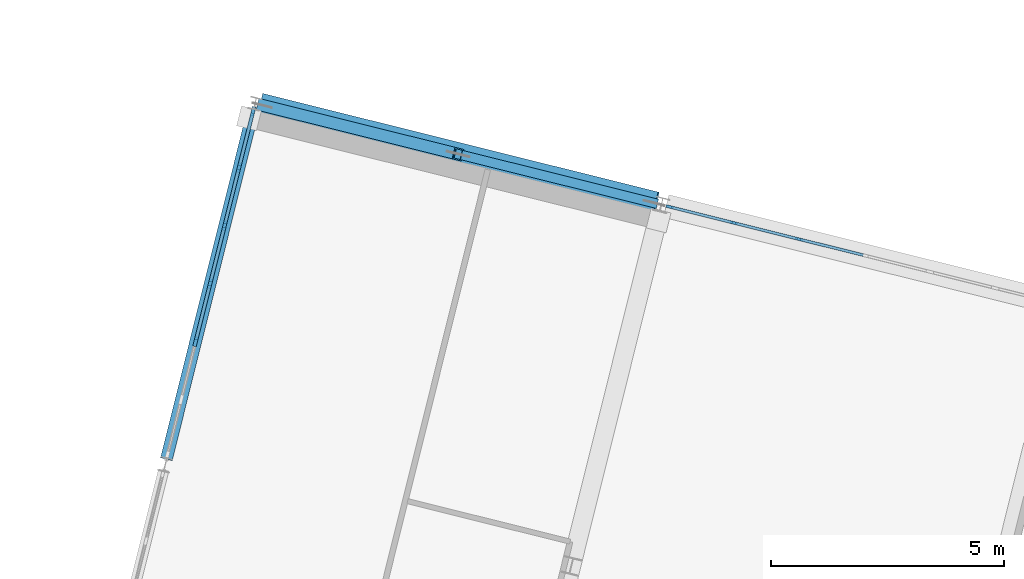
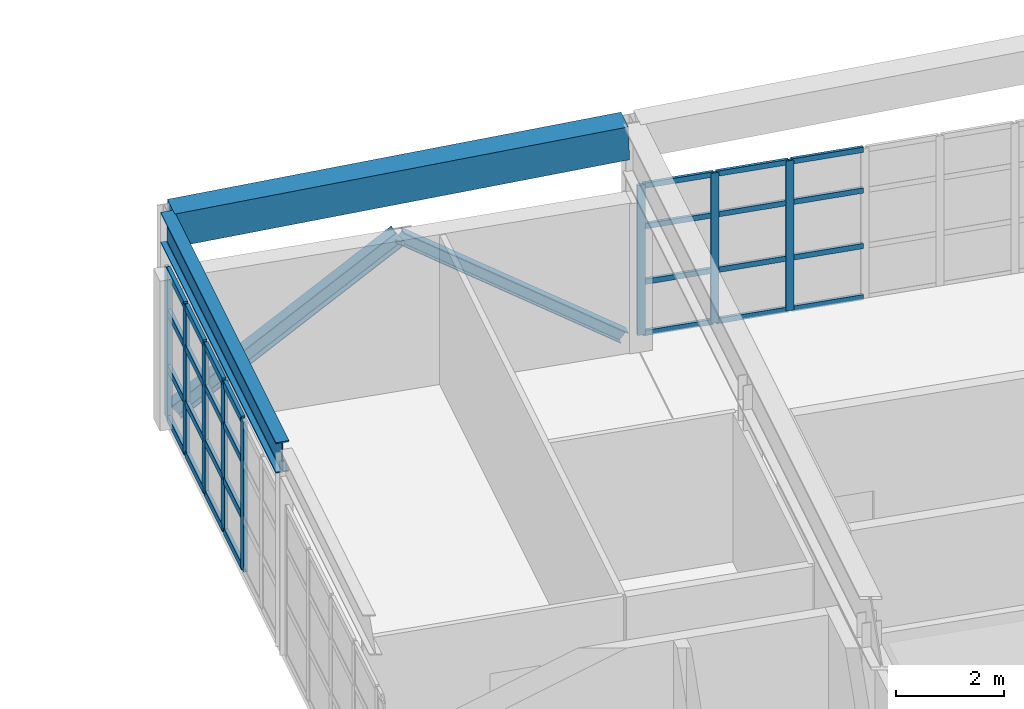
# One storey, part 11 of 27: 38 members, 2 beams, 2 elements without a shape of their own.
"""IFC4 building model written with IfcOpenShell, lengths in metres."""

from ifc_helpers import new_model, si_unit, direction, frame, origin, origin_2d, place, context, subcontext, project, spatial, rectangle, i_section, extrude, material, layer, layer_set, material_profile, profile_set, type_object, element, aggregate, save


model = new_model("IFC4")

# Units and contexts
model_context = context("Model", 3, precision=1e-05, world=origin(), true_north=direction((0.0, 1.0)))
body_context = subcontext(model_context, "Body", "Model", "MODEL_VIEW")
ifc_project = project(units=[si_unit("LENGTHUNIT", "METRE"), si_unit("AREAUNIT", "SQUARE_METRE"), si_unit("VOLUMEUNIT", "CUBIC_METRE"), si_unit("PLANEANGLEUNIT", "RADIAN"), si_unit("MASSUNIT", "GRAM", prefix="KILO")], contexts=[model_context])

# Site, building, storey
site_placement = place(None, origin())
site = spatial("IfcSite", under=ifc_project, at=site_placement, CompositionType="ELEMENT")
building_placement = place(site_placement, origin())
building = spatial("IfcBuilding", under=site, at=building_placement, Name="Vireo Bluff Cable Station", CompositionType="ELEMENT")
storey_placement = place(building_placement, frame((0.0, 0.0, 19.199951171875)))
storey = spatial("IfcBuildingStorey", under=building, at=storey_placement, Name="L04", CompositionType="ELEMENT", Elevation=19.199951171875)

# Members
ifc_material_1 = material(Name="Steel ASTM A992 Gr. 50", Category="steel")
ifc_material_profile_1 = material_profile(ifc_material_1, i_section(OverallWidth=0.2041015625, OverallDepth=0.257080078125, WebThickness=0.0087890625, FlangeThickness=0.015625, FilletRadius=0.009033203125, at=origin_2d()), Name="W10X45")
ifc_profile_set_1 = profile_set([ifc_material_profile_1], Name="Steel ASTM A992 Gr. 50")
member_type_1 = type_object("IfcMemberType", Name="BRC-01", PredefinedType="BRACE", material=ifc_profile_set_1)
member_1_placement = place(storey_placement, frame((68.383544921875, 59.1484375, 0.0400390625), z_axis=(-0.788696242127, 0.196659663597, 0.58248022659), x_axis=(-0.241939969626, -0.970291219736, 0.0)))
element("IfcMember", 1, at=member_1_placement, inside=storey, type_object=member_type_1, Name="V1 L04 concentric brace 24R", PredefinedType="BRACE", context=body_context, shape_type="SweptSolid", body=[
    extrude(i_section(OverallWidth=0.2041015625, OverallDepth=0.257080078125, WebThickness=0.0087890625, FlangeThickness=0.015625, FilletRadius=0.009033203125, at=origin_2d()), origin(), (0.0, 0.0, 1.0), 5.33935546875),
])
ifc_material_profile_2 = material_profile(ifc_material_1, i_section(OverallWidth=0.25390625, OverallDepth=0.35302734375, WebThickness=0.009521484375, FlangeThickness=0.016357421875, FilletRadius=0.011962890625, at=origin_2d()), Name="W14X61")
ifc_profile_set_2 = profile_set([ifc_material_profile_2], Name="Steel ASTM A992 Gr. 50")
member_type_2 = type_object("IfcMemberType", Name="BRC-06", PredefinedType="BRACE", material=ifc_profile_set_2)
member_2_placement = place(storey_placement, frame((59.96142578125, 61.248291015625, 0.0400390625), z_axis=(0.788686051028, -0.196622797972, 0.58250647055), x_axis=(0.241900212683, 0.970301132177, 0.0)))
element("IfcMember", 2, at=member_2_placement, inside=storey, type_object=member_type_2, Name="V1 L04 concentric brace 23L", PredefinedType="BRACE", context=body_context, shape_type="SweptSolid", body=[
    extrude(i_section(OverallWidth=0.25390625, OverallDepth=0.35302734375, WebThickness=0.009521484375, FlangeThickness=0.016357421875, FilletRadius=0.011962890625, at=origin_2d()), origin(), (0.0, 0.0, 1.0), 5.339111328125),
])

# Curtain wall, members
ifc_material_2 = material(Name="Anodized Aluminium 6063-T6", Category="aluminium")
ifc_layer_1 = layer(ifc_material_2, 0.179931640625, Name="Anodized Aluminium 6063-T6")
ifc_layer_set_1 = layer_set([ifc_layer_1], Name="Anodized Aluminium 6063-T6")
curtain_wall_type_1 = type_object("IfcCurtainWallType", Name="CW-UNIT-1400", PredefinedType="USERDEFINED", material=ifc_layer_set_1)
curtain_wall_1_placement = place(storey_placement, origin())
curtain_wall_1 = element("IfcCurtainWall", 3, at=curtain_wall_1_placement, inside=storey, type_object=curtain_wall_type_1, Name="V1 L04 west curtain wall CW-033", ObjectType="UNITISED CURTAIN WALL", PredefinedType="USERDEFINED")
ifc_material_profile_3 = material_profile(ifc_material_2, rectangle(XDim=0.074951171875, YDim=0.2099609375, at=origin_2d()), Name="ALU-M-75X210")
ifc_profile_set_3 = profile_set([ifc_material_profile_3], Name="Anodized Aluminium 6063-T6")
member_type_3 = type_object("IfcMemberType", Name="CWM-02", PredefinedType="MULLION", material=ifc_profile_set_3)
member_3_placement = place(storey_placement, frame((58.530029296875, 56.169189453125, 0.0), z_axis=(0.0, 0.0, 1.0), x_axis=(-0.970295723236, 0.241921907793, 0.0)))
member_3 = element("IfcMember", 4, at=member_3_placement, type_object=member_type_3, Name="CW-033 mullion 3", PredefinedType="MULLION", context=body_context, shape_type="SweptSolid", body=[
    extrude(rectangle(XDim=0.074951171875, YDim=0.2099609375, at=origin_2d()), origin(), (0.0, 0.0, 1.0), 3.400146484375),
])
member_4_placement = place(storey_placement, frame((58.841064453125, 57.416015625, 0.0), z_axis=(0.0, 0.0, 1.0), x_axis=(-0.970295723236, 0.241921907793, 0.0)))
member_4 = element("IfcMember", 5, at=member_4_placement, type_object=member_type_3, Name="CW-033 mullion 4", PredefinedType="MULLION", context=body_context, shape_type="SweptSolid", body=[
    extrude(rectangle(XDim=0.074951171875, YDim=0.2099609375, at=origin_2d()), origin(), (0.0, 0.0, 1.0), 3.400146484375),
])
member_5_placement = place(storey_placement, frame((59.15185546875, 58.6630859375, 0.0), z_axis=(0.0, 0.0, 1.0), x_axis=(-0.970295723236, 0.241921907793, 0.0)))
member_5 = element("IfcMember", 6, at=member_5_placement, type_object=member_type_3, Name="CW-033 mullion 5", PredefinedType="MULLION", context=body_context, shape_type="SweptSolid", body=[
    extrude(rectangle(XDim=0.074951171875, YDim=0.2099609375, at=origin_2d()), origin(), (0.0, 0.0, 1.0), 3.400146484375),
])
member_6_placement = place(storey_placement, frame((59.462890625, 59.91015625, 0.0), z_axis=(0.0, 0.0, 1.0), x_axis=(-0.970295723236, 0.241921907793, 0.0)))
member_6 = element("IfcMember", 7, at=member_6_placement, type_object=member_type_3, Name="CW-033 mullion 6", PredefinedType="MULLION", context=body_context, shape_type="SweptSolid", body=[
    extrude(rectangle(XDim=0.074951171875, YDim=0.2099609375, at=origin_2d()), origin(), (0.0, 0.0, 1.0), 3.400146484375),
])
member_7_placement = place(storey_placement, frame((59.7646484375, 61.12060546875, 0.0), z_axis=(0.0, 0.0, 1.0), x_axis=(-0.970295723236, 0.241921907793, 0.0)))
member_7 = element("IfcMember", 8, at=member_7_placement, type_object=member_type_3, Name="CW-033 mullion 7", PredefinedType="MULLION", context=body_context, shape_type="SweptSolid", body=[
    extrude(rectangle(XDim=0.074951171875, YDim=0.2099609375, at=origin_2d()), origin(), (0.0, 0.0, 1.0), 3.400146484375),
])

ifc_layer_2 = layer(ifc_material_2, 0.179931640625, Name="Anodized Aluminium 6063-T6")
ifc_layer_set_2 = layer_set([ifc_layer_2], Name="Anodized Aluminium 6063-T6")
curtain_wall_type_2 = type_object("IfcCurtainWallType", Name="CW-UNIT-1500", PredefinedType="USERDEFINED", material=ifc_layer_set_2)
curtain_wall_2_placement = place(storey_placement, origin())
curtain_wall_2 = element("IfcCurtainWall", 9, at=curtain_wall_2_placement, inside=storey, type_object=curtain_wall_type_2, Name="V1 L04 north curtain wall CW-034", ObjectType="UNITISED CURTAIN WALL", PredefinedType="USERDEFINED")
ifc_material_profile_4 = material_profile(ifc_material_2, rectangle(XDim=0.06005859375, YDim=0.159912109375, at=origin_2d()), Name="ALU-M-60X160")
ifc_profile_set_4 = profile_set([ifc_material_profile_4], Name="Anodized Aluminium 6063-T6")
member_type_4 = type_object("IfcMemberType", Name="CWM-03", PredefinedType="MULLION", material=ifc_profile_set_4)
member_8_placement = place(storey_placement, frame((68.7177734375, 59.065185546875, 0.0), z_axis=(0.0, 0.0, 1.0), x_axis=(0.241921878749, 0.970295730477, 0.0)))
member_8 = element("IfcMember", 10, at=member_8_placement, type_object=member_type_4, Name="CW-034 mullion 1", PredefinedType="MULLION", context=body_context, shape_type="SweptSolid", body=[
    extrude(rectangle(XDim=0.06005859375, YDim=0.159912109375, at=origin_2d()), origin(), (0.0, 0.0, 1.0), 3.400146484375),
])
member_9_placement = place(storey_placement, frame((70.09423828125, 58.721923828125, 0.0), z_axis=(0.0, 0.0, 1.0), x_axis=(0.241921878749, 0.970295730477, 0.0)))
member_9 = element("IfcMember", 11, at=member_9_placement, type_object=member_type_4, Name="CW-034 mullion 2", PredefinedType="MULLION", context=body_context, shape_type="SweptSolid", body=[
    extrude(rectangle(XDim=0.06005859375, YDim=0.159912109375, at=origin_2d()), origin(), (0.0, 0.0, 1.0), 3.400146484375),
])
member_10_placement = place(storey_placement, frame((71.499755859375, 58.37158203125, 0.0), z_axis=(0.0, 0.0, 1.0), x_axis=(0.241921878749, 0.970295730477, 0.0)))
member_10 = element("IfcMember", 12, at=member_10_placement, type_object=member_type_4, Name="CW-034 mullion 3", PredefinedType="MULLION", context=body_context, shape_type="SweptSolid", body=[
    extrude(rectangle(XDim=0.06005859375, YDim=0.159912109375, at=origin_2d()), origin(), (0.0, 0.0, 1.0), 3.400146484375),
])

# Member
ifc_material_profile_5 = material_profile(ifc_material_2, rectangle(XDim=0.074951171875, YDim=0.159912109375, at=origin_2d()), Name="ALU-T-75X160")
ifc_profile_set_5 = profile_set([ifc_material_profile_5], Name="Anodized Aluminium 6063-T6")
member_type_5 = type_object("IfcMemberType", Name="CWT-02", PredefinedType="USERDEFINED", material=ifc_profile_set_5)
member_11_placement = place(storey_placement, frame((58.5390625, 56.20556640625, 0.03759765625), z_axis=(0.241918406889, 0.970296596103, 0.0), x_axis=(-0.970296596103, 0.241918406889, 0.0)))
member_11 = element("IfcMember", 13, at=member_11_placement, type_object=member_type_5, Name="CW-033 transom 3.1", ObjectType="TRANSOM", PredefinedType="USERDEFINED", context=body_context, shape_type="SweptSolid", body=[
    extrude(rectangle(XDim=0.074951171875, YDim=0.159912109375, at=origin_2d()), origin(), (0.0, 0.0, 1.0), 1.2099609375),
])

member_12_placement = place(storey_placement, frame((58.5390625, 56.20556640625, 1.18994140625), z_axis=(0.241918406889, 0.970296596103, 0.0), x_axis=(-0.970296596103, 0.241918406889, 0.0)))
member_12 = element("IfcMember", 14, at=member_12_placement, type_object=member_type_5, Name="CW-033 transom 3.2", ObjectType="TRANSOM", PredefinedType="USERDEFINED", context=body_context, shape_type="SweptSolid", body=[
    extrude(rectangle(XDim=0.074951171875, YDim=0.159912109375, at=origin_2d()), origin(), (0.0, 0.0, 1.0), 1.2099609375),
])

member_13_placement = place(storey_placement, frame((58.5390625, 56.20556640625, 2.447998046875), z_axis=(0.241918406889, 0.970296596103, 0.0), x_axis=(-0.970296596103, 0.241918406889, 0.0)))
member_13 = element("IfcMember", 15, at=member_13_placement, type_object=member_type_5, Name="CW-033 transom 3.3", ObjectType="TRANSOM", PredefinedType="USERDEFINED", context=body_context, shape_type="SweptSolid", body=[
    extrude(rectangle(XDim=0.074951171875, YDim=0.159912109375, at=origin_2d()), origin(), (0.0, 0.0, 1.0), 1.2099609375),
])

member_14_placement = place(storey_placement, frame((58.5390625, 56.20556640625, 3.362548828125), z_axis=(0.241918406889, 0.970296596103, 0.0), x_axis=(-0.970296596103, 0.241918406889, 0.0)))
member_14 = element("IfcMember", 16, at=member_14_placement, type_object=member_type_5, Name="CW-033 transom 3.4", ObjectType="TRANSOM", PredefinedType="USERDEFINED", context=body_context, shape_type="SweptSolid", body=[
    extrude(rectangle(XDim=0.074951171875, YDim=0.159912109375, at=origin_2d()), origin(), (0.0, 0.0, 1.0), 1.2099609375),
])

member_15_placement = place(storey_placement, frame((58.85009765625, 57.452392578125, 0.03759765625), z_axis=(0.241871054621, 0.970308400941, 0.0), x_axis=(-0.970308400941, 0.241871054621, 0.0)))
member_15 = element("IfcMember", 17, at=member_15_placement, type_object=member_type_5, Name="CW-033 transom 4.1", ObjectType="TRANSOM", PredefinedType="USERDEFINED", context=body_context, shape_type="SweptSolid", body=[
    extrude(rectangle(XDim=0.074951171875, YDim=0.159912109375, at=origin_2d()), origin(), (0.0, 0.0, 1.0), 1.210205078125),
])

member_16_placement = place(storey_placement, frame((58.85009765625, 57.452392578125, 1.18994140625), z_axis=(0.241871054621, 0.970308400941, 0.0), x_axis=(-0.970308400941, 0.241871054621, 0.0)))
member_16 = element("IfcMember", 18, at=member_16_placement, type_object=member_type_5, Name="CW-033 transom 4.2", ObjectType="TRANSOM", PredefinedType="USERDEFINED", context=body_context, shape_type="SweptSolid", body=[
    extrude(rectangle(XDim=0.074951171875, YDim=0.159912109375, at=origin_2d()), origin(), (0.0, 0.0, 1.0), 1.210205078125),
])

member_17_placement = place(storey_placement, frame((58.85009765625, 57.452392578125, 2.447998046875), z_axis=(0.241871054621, 0.970308400941, 0.0), x_axis=(-0.970308400941, 0.241871054621, 0.0)))
member_17 = element("IfcMember", 19, at=member_17_placement, type_object=member_type_5, Name="CW-033 transom 4.3", ObjectType="TRANSOM", PredefinedType="USERDEFINED", context=body_context, shape_type="SweptSolid", body=[
    extrude(rectangle(XDim=0.074951171875, YDim=0.159912109375, at=origin_2d()), origin(), (0.0, 0.0, 1.0), 1.210205078125),
])

member_18_placement = place(storey_placement, frame((58.85009765625, 57.452392578125, 3.362548828125), z_axis=(0.241871054621, 0.970308400941, 0.0), x_axis=(-0.970308400941, 0.241871054621, 0.0)))
member_18 = element("IfcMember", 20, at=member_18_placement, type_object=member_type_5, Name="CW-033 transom 4.4", ObjectType="TRANSOM", PredefinedType="USERDEFINED", context=body_context, shape_type="SweptSolid", body=[
    extrude(rectangle(XDim=0.074951171875, YDim=0.159912109375, at=origin_2d()), origin(), (0.0, 0.0, 1.0), 1.210205078125),
])

member_19_placement = place(storey_placement, frame((59.160888671875, 58.699462890625, 0.03759765625), z_axis=(0.241871054621, 0.970308400941, 0.0), x_axis=(-0.970308400941, 0.241871054621, 0.0)))
member_19 = element("IfcMember", 21, at=member_19_placement, type_object=member_type_5, Name="CW-033 transom 5.1", ObjectType="TRANSOM", PredefinedType="USERDEFINED", context=body_context, shape_type="SweptSolid", body=[
    extrude(rectangle(XDim=0.074951171875, YDim=0.159912109375, at=origin_2d()), origin(), (0.0, 0.0, 1.0), 1.210205078125),
])

member_20_placement = place(storey_placement, frame((59.160888671875, 58.699462890625, 1.18994140625), z_axis=(0.241871054621, 0.970308400941, 0.0), x_axis=(-0.970308400941, 0.241871054621, 0.0)))
member_20 = element("IfcMember", 22, at=member_20_placement, type_object=member_type_5, Name="CW-033 transom 5.2", ObjectType="TRANSOM", PredefinedType="USERDEFINED", context=body_context, shape_type="SweptSolid", body=[
    extrude(rectangle(XDim=0.074951171875, YDim=0.159912109375, at=origin_2d()), origin(), (0.0, 0.0, 1.0), 1.210205078125),
])

member_21_placement = place(storey_placement, frame((59.160888671875, 58.699462890625, 2.447998046875), z_axis=(0.241871054621, 0.970308400941, 0.0), x_axis=(-0.970308400941, 0.241871054621, 0.0)))
member_21 = element("IfcMember", 23, at=member_21_placement, type_object=member_type_5, Name="CW-033 transom 5.3", ObjectType="TRANSOM", PredefinedType="USERDEFINED", context=body_context, shape_type="SweptSolid", body=[
    extrude(rectangle(XDim=0.074951171875, YDim=0.159912109375, at=origin_2d()), origin(), (0.0, 0.0, 1.0), 1.210205078125),
])

member_22_placement = place(storey_placement, frame((59.160888671875, 58.699462890625, 3.362548828125), z_axis=(0.241871054621, 0.970308400941, 0.0), x_axis=(-0.970308400941, 0.241871054621, 0.0)))
member_22 = element("IfcMember", 24, at=member_22_placement, type_object=member_type_5, Name="CW-033 transom 5.4", ObjectType="TRANSOM", PredefinedType="USERDEFINED", context=body_context, shape_type="SweptSolid", body=[
    extrude(rectangle(XDim=0.074951171875, YDim=0.159912109375, at=origin_2d()), origin(), (0.0, 0.0, 1.0), 1.210205078125),
])

member_23_placement = place(storey_placement, frame((59.471923828125, 59.946533203125, 0.03759765625), z_axis=(0.241947674843, 0.970289298425, 0.0), x_axis=(-0.970289298425, 0.241947674843, 0.0)))
member_23 = element("IfcMember", 25, at=member_23_placement, type_object=member_type_5, Name="CW-033 transom 6.1", ObjectType="TRANSOM", PredefinedType="USERDEFINED", context=body_context, shape_type="SweptSolid", body=[
    extrude(rectangle(XDim=0.074951171875, YDim=0.159912109375, at=origin_2d()), origin(), (0.0, 0.0, 1.0), 1.172607421875),
])

member_24_placement = place(storey_placement, frame((59.471923828125, 59.946533203125, 1.18994140625), z_axis=(0.241947674843, 0.970289298425, 0.0), x_axis=(-0.970289298425, 0.241947674843, 0.0)))
member_24 = element("IfcMember", 26, at=member_24_placement, type_object=member_type_5, Name="CW-033 transom 6.2", ObjectType="TRANSOM", PredefinedType="USERDEFINED", context=body_context, shape_type="SweptSolid", body=[
    extrude(rectangle(XDim=0.074951171875, YDim=0.159912109375, at=origin_2d()), origin(), (0.0, 0.0, 1.0), 1.172607421875),
])

member_25_placement = place(storey_placement, frame((59.471923828125, 59.946533203125, 2.447998046875), z_axis=(0.241947674843, 0.970289298425, 0.0), x_axis=(-0.970289298425, 0.241947674843, 0.0)))
member_25 = element("IfcMember", 27, at=member_25_placement, type_object=member_type_5, Name="CW-033 transom 6.3", ObjectType="TRANSOM", PredefinedType="USERDEFINED", context=body_context, shape_type="SweptSolid", body=[
    extrude(rectangle(XDim=0.074951171875, YDim=0.159912109375, at=origin_2d()), origin(), (0.0, 0.0, 1.0), 1.172607421875),
])

member_26_placement = place(storey_placement, frame((59.471923828125, 59.946533203125, 3.362548828125), z_axis=(0.241947674843, 0.970289298425, 0.0), x_axis=(-0.970289298425, 0.241947674843, 0.0)))
member_26 = element("IfcMember", 28, at=member_26_placement, type_object=member_type_5, Name="CW-033 transom 6.4", ObjectType="TRANSOM", PredefinedType="USERDEFINED", context=body_context, shape_type="SweptSolid", body=[
    extrude(rectangle(XDim=0.074951171875, YDim=0.159912109375, at=origin_2d()), origin(), (0.0, 0.0, 1.0), 1.172607421875),
])

aggregate(curtain_wall_1, [member_3, member_4, member_5, member_6, member_7, member_11, member_12, member_13, member_14, member_15, member_16, member_17, member_18, member_19, member_20, member_21, member_22, member_23, member_24, member_25, member_26])

ifc_material_profile_6 = material_profile(ifc_material_2, rectangle(XDim=0.06005859375, YDim=0.1201171875, at=origin_2d()), Name="ALU-T-60X120")
ifc_profile_set_6 = profile_set([ifc_material_profile_6], Name="Anodized Aluminium 6063-T6")
member_type_6 = type_object("IfcMemberType", Name="CWT-03", PredefinedType="USERDEFINED", material=ifc_profile_set_6)
member_27_placement = place(storey_placement, frame((68.746826171875, 59.057861328125, 0.030029296875), z_axis=(0.970300868044, -0.241901272159, 0.0), x_axis=(0.241901272159, 0.970300868044, 0.0)))
member_27 = element("IfcMember", 29, at=member_27_placement, type_object=member_type_6, Name="CW-034 transom 1.1", ObjectType="TRANSOM", PredefinedType="USERDEFINED", context=body_context, shape_type="SweptSolid", body=[
    extrude(rectangle(XDim=0.06005859375, YDim=0.1201171875, at=origin_2d()), origin(), (0.0, 0.0, 1.0), 1.3583984375),
])

member_28_placement = place(storey_placement, frame((68.746826171875, 59.057861328125, 1.18994140625), z_axis=(0.970300868044, -0.241901272159, 0.0), x_axis=(0.241901272159, 0.970300868044, 0.0)))
member_28 = element("IfcMember", 30, at=member_28_placement, type_object=member_type_6, Name="CW-034 transom 1.2", ObjectType="TRANSOM", PredefinedType="USERDEFINED", context=body_context, shape_type="SweptSolid", body=[
    extrude(rectangle(XDim=0.06005859375, YDim=0.1201171875, at=origin_2d()), origin(), (0.0, 0.0, 1.0), 1.3583984375),
])

member_29_placement = place(storey_placement, frame((68.746826171875, 59.057861328125, 2.447998046875), z_axis=(0.970300868044, -0.241901272159, 0.0), x_axis=(0.241901272159, 0.970300868044, 0.0)))
member_29 = element("IfcMember", 31, at=member_29_placement, type_object=member_type_6, Name="CW-034 transom 1.3", ObjectType="TRANSOM", PredefinedType="USERDEFINED", context=body_context, shape_type="SweptSolid", body=[
    extrude(rectangle(XDim=0.06005859375, YDim=0.1201171875, at=origin_2d()), origin(), (0.0, 0.0, 1.0), 1.3583984375),
])

member_30_placement = place(storey_placement, frame((68.746826171875, 59.057861328125, 3.3701171875), z_axis=(0.970300868044, -0.241901272159, 0.0), x_axis=(0.241901272159, 0.970300868044, 0.0)))
member_30 = element("IfcMember", 32, at=member_30_placement, type_object=member_type_6, Name="CW-034 transom 1.4", ObjectType="TRANSOM", PredefinedType="USERDEFINED", context=body_context, shape_type="SweptSolid", body=[
    extrude(rectangle(XDim=0.06005859375, YDim=0.1201171875, at=origin_2d()), origin(), (0.0, 0.0, 1.0), 1.3583984375),
])

member_31_placement = place(storey_placement, frame((70.123291015625, 58.71484375, 0.030029296875), z_axis=(0.970287136936, -0.241956342955, 0.0), x_axis=(0.241956342955, 0.970287136936, 0.0)))
member_31 = element("IfcMember", 33, at=member_31_placement, type_object=member_type_6, Name="CW-034 transom 2.1", ObjectType="TRANSOM", PredefinedType="USERDEFINED", context=body_context, shape_type="SweptSolid", body=[
    extrude(rectangle(XDim=0.06005859375, YDim=0.1201171875, at=origin_2d()), origin(), (0.0, 0.0, 1.0), 1.388427734375),
])

member_32_placement = place(storey_placement, frame((70.123291015625, 58.71484375, 1.18994140625), z_axis=(0.970287136936, -0.241956342955, 0.0), x_axis=(0.241956342955, 0.970287136936, 0.0)))
member_32 = element("IfcMember", 34, at=member_32_placement, type_object=member_type_6, Name="CW-034 transom 2.2", ObjectType="TRANSOM", PredefinedType="USERDEFINED", context=body_context, shape_type="SweptSolid", body=[
    extrude(rectangle(XDim=0.06005859375, YDim=0.1201171875, at=origin_2d()), origin(), (0.0, 0.0, 1.0), 1.388427734375),
])

member_33_placement = place(storey_placement, frame((70.123291015625, 58.71484375, 2.447998046875), z_axis=(0.970287136936, -0.241956342955, 0.0), x_axis=(0.241956342955, 0.970287136936, 0.0)))
member_33 = element("IfcMember", 35, at=member_33_placement, type_object=member_type_6, Name="CW-034 transom 2.3", ObjectType="TRANSOM", PredefinedType="USERDEFINED", context=body_context, shape_type="SweptSolid", body=[
    extrude(rectangle(XDim=0.06005859375, YDim=0.1201171875, at=origin_2d()), origin(), (0.0, 0.0, 1.0), 1.388427734375),
])

member_34_placement = place(storey_placement, frame((70.123291015625, 58.71484375, 3.3701171875), z_axis=(0.970287136936, -0.241956342955, 0.0), x_axis=(0.241956342955, 0.970287136936, 0.0)))
member_34 = element("IfcMember", 36, at=member_34_placement, type_object=member_type_6, Name="CW-034 transom 2.4", ObjectType="TRANSOM", PredefinedType="USERDEFINED", context=body_context, shape_type="SweptSolid", body=[
    extrude(rectangle(XDim=0.06005859375, YDim=0.1201171875, at=origin_2d()), origin(), (0.0, 0.0, 1.0), 1.388427734375),
])

member_35_placement = place(storey_placement, frame((71.52880859375, 58.3642578125, 0.030029296875), z_axis=(0.970287136936, -0.241956342955, 0.0), x_axis=(0.241956342955, 0.970287136936, 0.0)))
member_35 = element("IfcMember", 37, at=member_35_placement, type_object=member_type_6, Name="CW-034 transom 3.1", ObjectType="TRANSOM", PredefinedType="USERDEFINED", context=body_context, shape_type="SweptSolid", body=[
    extrude(rectangle(XDim=0.06005859375, YDim=0.1201171875, at=origin_2d()), origin(), (0.0, 0.0, 1.0), 1.388427734375),
])

member_36_placement = place(storey_placement, frame((71.52880859375, 58.3642578125, 1.18994140625), z_axis=(0.970287136936, -0.241956342955, 0.0), x_axis=(0.241956342955, 0.970287136936, 0.0)))
member_36 = element("IfcMember", 38, at=member_36_placement, type_object=member_type_6, Name="CW-034 transom 3.2", ObjectType="TRANSOM", PredefinedType="USERDEFINED", context=body_context, shape_type="SweptSolid", body=[
    extrude(rectangle(XDim=0.06005859375, YDim=0.1201171875, at=origin_2d()), origin(), (0.0, 0.0, 1.0), 1.388427734375),
])

member_37_placement = place(storey_placement, frame((71.52880859375, 58.3642578125, 2.447998046875), z_axis=(0.970287136936, -0.241956342955, 0.0), x_axis=(0.241956342955, 0.970287136936, 0.0)))
member_37 = element("IfcMember", 39, at=member_37_placement, type_object=member_type_6, Name="CW-034 transom 3.3", ObjectType="TRANSOM", PredefinedType="USERDEFINED", context=body_context, shape_type="SweptSolid", body=[
    extrude(rectangle(XDim=0.06005859375, YDim=0.1201171875, at=origin_2d()), origin(), (0.0, 0.0, 1.0), 1.388427734375),
])

member_38_placement = place(storey_placement, frame((71.52880859375, 58.3642578125, 3.3701171875), z_axis=(0.970287136936, -0.241956342955, 0.0), x_axis=(0.241956342955, 0.970287136936, 0.0)))
member_38 = element("IfcMember", 40, at=member_38_placement, type_object=member_type_6, Name="CW-034 transom 3.4", ObjectType="TRANSOM", PredefinedType="USERDEFINED", context=body_context, shape_type="SweptSolid", body=[
    extrude(rectangle(XDim=0.06005859375, YDim=0.1201171875, at=origin_2d()), origin(), (0.0, 0.0, 1.0), 1.388427734375),
])

aggregate(curtain_wall_2, [member_8, member_9, member_10, member_27, member_28, member_29, member_30, member_31, member_32, member_33, member_34, member_35, member_36, member_37, member_38])

# Beams
ifc_material_3 = material(Name="Concrete f'c 40 MPa", Category="concrete")
ifc_material_profile_7 = material_profile(ifc_material_3, rectangle(XDim=0.5, YDim=0.75, at=origin_2d()), Name="RC-EB-500X750")
ifc_profile_set_7 = profile_set([ifc_material_profile_7], Name="Concrete f'c 40 MPa")
beam_type_1 = type_object("IfcBeamType", Name="RCEB-03", PredefinedType="SPANDREL", material=ifc_profile_set_7)
beam_1_placement = place(storey_placement, frame((59.922607421875, 61.258056640625, 4.26513671875), z_axis=(0.969782604745, -0.241784087583, 0.032590712266), x_axis=(0.241912595995, 0.970298044881, 0.0)))
element("IfcBeam", 41, at=beam_1_placement, inside=storey, type_object=beam_type_1, Name="V1 L04 spandrel 339", PredefinedType="SPANDREL", context=body_context, shape_type="SweptSolid", body=[
    extrude(rectangle(XDim=0.5, YDim=0.75, at=origin_2d()), origin(), (0.0, 0.0, 1.0), 8.7646484375),
])
ifc_material_profile_8 = material_profile(ifc_material_1, i_section(OverallWidth=0.257080078125, OverallDepth=0.693115234375, WebThickness=0.014404296875, FlangeThickness=0.023681640625, FilletRadius=0.014892578125, at=origin_2d()), Name="W27X114")
ifc_profile_set_8 = profile_set([ifc_material_profile_8], Name="Steel ASTM A992 Gr. 50")
beam_type_2 = type_object("IfcBeamType", Name="SPN-W27X114", PredefinedType="SPANDREL", material=ifc_profile_set_8)
beam_2_placement = place(storey_placement, frame((57.89990234375, 53.64111328125, 4.29345703125), z_axis=(0.241906346953, 0.970299602857, 0.0), x_axis=(-0.970299602857, 0.241906346953, 0.0)))
element("IfcBeam", 42, at=beam_2_placement, inside=storey, type_object=beam_type_2, Name="V1 L04 spandrel 347", PredefinedType="SPANDREL", context=body_context, shape_type="SweptSolid", body=[
    extrude(i_section(OverallWidth=0.257080078125, OverallDepth=0.693115234375, WebThickness=0.014404296875, FlangeThickness=0.023681640625, FilletRadius=0.014892578125, at=origin_2d()), origin(), (0.0, 0.0, 1.0), 7.760009765625),
])

save(model, "model.ifc")
